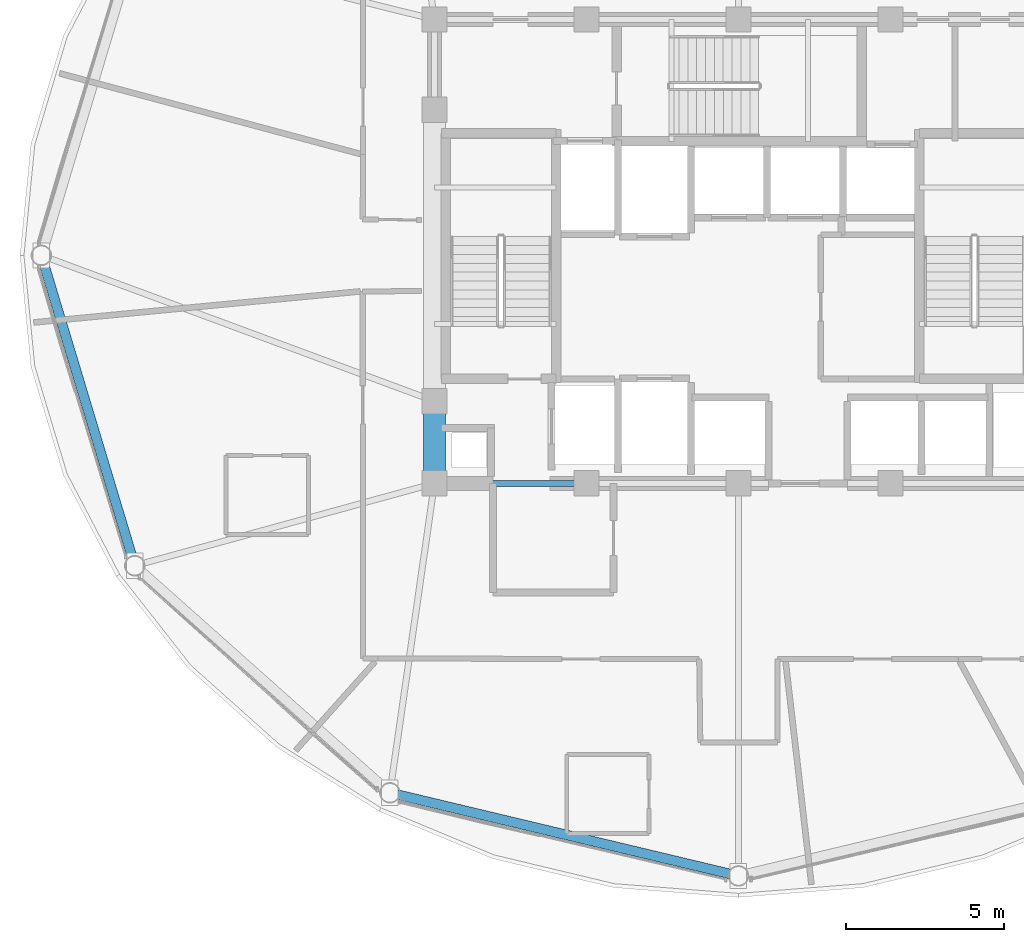
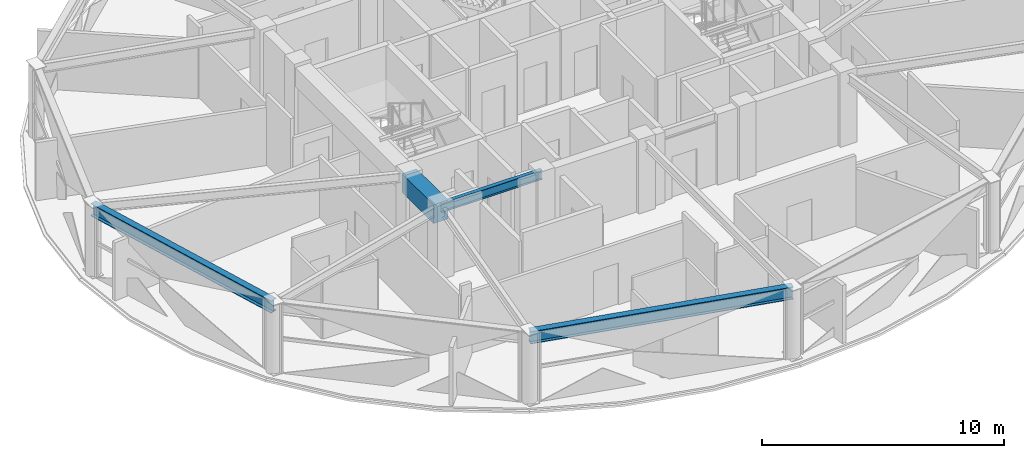
# One storey, part 4 of 28: 4 beams.
"""IFC4 building model written with IfcOpenShell, lengths in metres."""

from ifc_helpers import new_model, si_unit, direction, frame, origin, origin_2d, place, context, subcontext, project, spatial, rectangle, i_section, extrude, material, material_profile, profile_set, type_object, element, save


model = new_model("IFC4")

# Units and contexts
model_context = context("Model", 3, precision=1e-05, world=origin(), true_north=direction((0.0, 1.0)))
body_context = subcontext(model_context, "Body", "Model", "MODEL_VIEW")
ifc_project = project(units=[si_unit("LENGTHUNIT", "METRE"), si_unit("AREAUNIT", "SQUARE_METRE"), si_unit("VOLUMEUNIT", "CUBIC_METRE"), si_unit("PLANEANGLEUNIT", "RADIAN"), si_unit("MASSUNIT", "GRAM", prefix="KILO")], contexts=[model_context])

# Site, building, storey
site_placement = place(None, origin())
site = spatial("IfcSite", under=ifc_project, at=site_placement, CompositionType="ELEMENT")
building_placement = place(site_placement, origin())
building = spatial("IfcBuilding", under=site, at=building_placement, Name="Vantalir Tower", CompositionType="ELEMENT")
storey_placement = place(building_placement, frame((0.0, 0.0, 223.64990234375)))
storey = spatial("IfcBuildingStorey", under=building, at=storey_placement, Name="L56", CompositionType="ELEMENT", Elevation=223.64990234375)

# Beams
ifc_material_1 = material(Name="Concrete C60/75", Category="concrete")
ifc_material_profile_1 = material_profile(ifc_material_1, rectangle(XDim=0.699951171875, YDim=0.949951171875, at=origin_2d()), Name="Concrete C60/75")
ifc_profile_set_1 = profile_set([ifc_material_profile_1], Name="Concrete C60/75")
beam_type_1 = type_object("IfcBeamType", Name="BM-CB-700x950", PredefinedType="USERDEFINED", material=ifc_profile_set_1)
beam_1_placement = place(storey_placement, frame((21.89990234375, 20.39990234375, 3.09521484375), z_axis=(0.0, -1.0, 0.0), x_axis=(1.0, 0.0, 0.0)))
element("IfcBeam", 1, at=beam_1_placement, inside=storey, type_object=beam_type_1, Name="L56 Core Coupling Girder 14", ObjectType="GIRDER", PredefinedType="USERDEFINED", context=body_context, shape_type="SweptSolid", body=[
    extrude(rectangle(XDim=0.699951171875, YDim=0.949951171875, at=origin_2d()), origin(), (0.0, 0.0, 1.0), 2.599853515625),
])
ifc_material_2 = material(Name="Steel S355", Category="steel")
ifc_material_profile_2 = material_profile(ifc_material_2, i_section(OverallWidth=0.19189453125, OverallDepth=0.462890625, WebThickness=0.010498046875, FlangeThickness=0.017578125, at=origin_2d()), Name="Steel S355")
ifc_profile_set_2 = profile_set([ifc_material_profile_2], Name="Steel S355")
beam_type_2 = type_object("IfcBeamType", Name="BM-RB-457x191", PredefinedType="BEAM", material=ifc_profile_set_2)
beam_2_placement = place(storey_placement, frame((21.89990234375, 17.800048828125, 3.338134765625), z_axis=(1.0, 0.0, 0.0), x_axis=(0.0, 1.0, 0.0)))
element("IfcBeam", 2, at=beam_2_placement, inside=storey, type_object=beam_type_2, Name="L56 Core Coupling Girder 01", PredefinedType="BEAM", context=body_context, shape_type="SweptSolid", body=[
    extrude(i_section(OverallWidth=0.19189453125, OverallDepth=0.462890625, WebThickness=0.010498046875, FlangeThickness=0.017578125, at=origin_2d()), origin(), (0.0, 0.0, 1.0), 4.800048828125),
])
ifc_material_3 = material(Name="Steel S460", Category="steel")
ifc_material_profile_3 = material_profile(ifc_material_3, i_section(OverallWidth=0.306884765625, OverallDepth=0.6201171875, WebThickness=0.01416015625, FlangeThickness=0.023681640625, at=origin_2d()), Name="Steel S460")
ifc_profile_set_3 = profile_set([ifc_material_profile_3], Name="Steel S460")
beam_type_3 = type_object("IfcBeamType", Name="BM-RG-610x305", PredefinedType="USERDEFINED", material=ifc_profile_set_3)
beam_3_placement = place(storey_placement, frame((9.487060546875, 25.0, 3.260009765625), z_axis=(0.288203662464, -0.957569135333, 0.0), x_axis=(0.957569135333, 0.288203662464, 0.0)))
element("IfcBeam", 3, at=beam_3_placement, inside=storey, type_object=beam_type_3, Name="L56 Circumferential Ring Girder 07", ObjectType="GIRDER", PredefinedType="USERDEFINED", context=body_context, shape_type="SweptSolid", body=[
    extrude(i_section(OverallWidth=0.306884765625, OverallDepth=0.6201171875, WebThickness=0.01416015625, FlangeThickness=0.023681640625, at=origin_2d()), origin(), (0.0, 0.0, 1.0), 10.232177734375),
])
beam_4_placement = place(storey_placement, frame((20.492919921875, 8.029052734375, 3.260009765625), z_axis=(0.972721190818, -0.231977337112, 0.0), x_axis=(0.231977337112, 0.972721190818, 0.0)))
element("IfcBeam", 4, at=beam_4_placement, inside=storey, type_object=beam_type_3, Name="L56 Circumferential Ring Girder 09", ObjectType="GIRDER", PredefinedType="USERDEFINED", context=body_context, shape_type="SweptSolid", body=[
    extrude(i_section(OverallWidth=0.306884765625, OverallDepth=0.6201171875, WebThickness=0.01416015625, FlangeThickness=0.023681640625, at=origin_2d()), origin(), (0.0, 0.0, 1.0), 11.315673828125),
])

save(model, "model.ifc")
